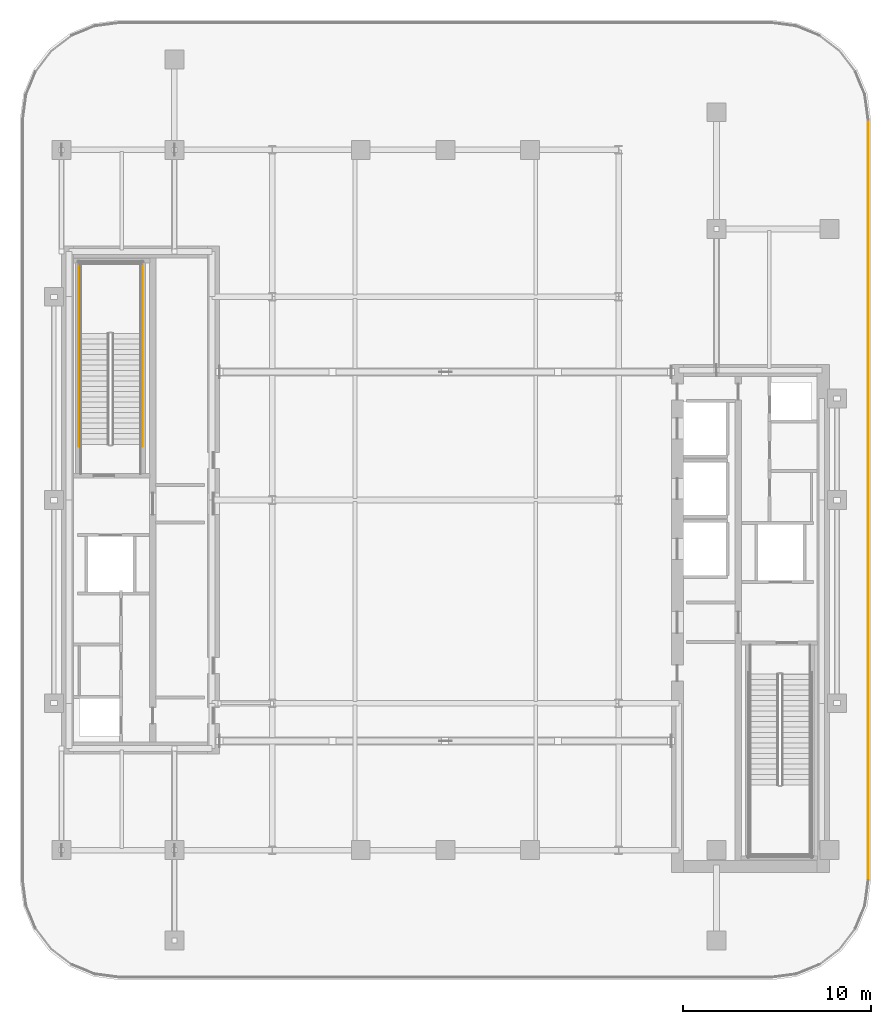
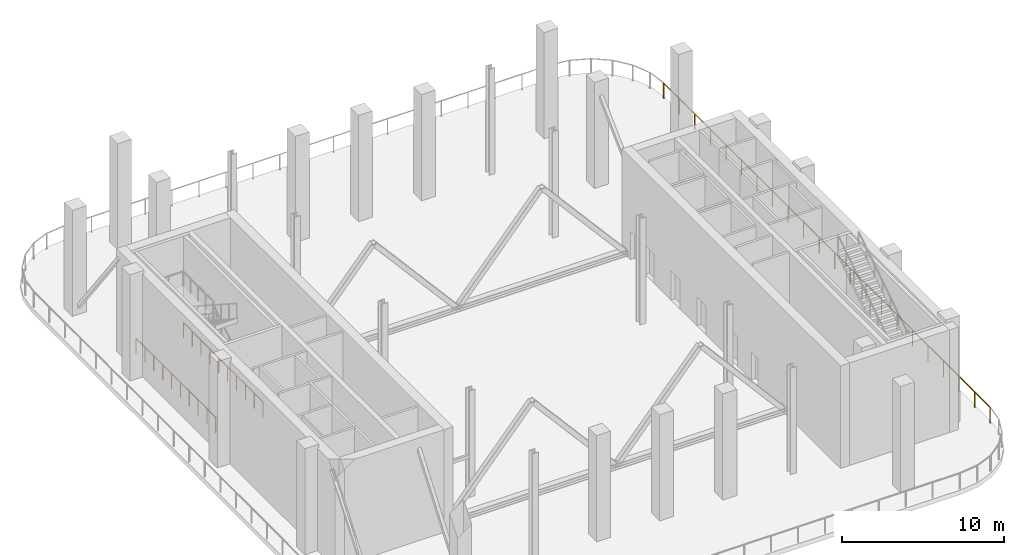
# One storey, part 10 of 12: 3 railings.
"""IFC4 building model written with IfcOpenShell, lengths in metres."""

from ifc_helpers import new_model, si_unit, direction, frame, origin, origin_2d, place, context, subcontext, project, spatial, circle, extrude, material, type_object, element, save


model = new_model("IFC4")

# Units and contexts
model_context = context("Model", 3, precision=1e-05, world=origin(), true_north=direction((0.0, 1.0)))
body_context = subcontext(model_context, "Body", "Model", "MODEL_VIEW")
ifc_project = project(units=[si_unit("LENGTHUNIT", "METRE"), si_unit("AREAUNIT", "SQUARE_METRE"), si_unit("VOLUMEUNIT", "CUBIC_METRE"), si_unit("PLANEANGLEUNIT", "RADIAN"), si_unit("MASSUNIT", "GRAM", prefix="KILO")], contexts=[model_context])

# Site, building, storey
site_placement = place(None, origin())
site = spatial("IfcSite", under=ifc_project, at=site_placement, CompositionType="ELEMENT")
building_placement = place(site_placement, origin())
building = spatial("IfcBuilding", under=site, at=building_placement, Name="Khairoan Windgate Tower", CompositionType="ELEMENT")
storey_placement = place(building_placement, frame((0.0, 0.0, 214.39990234375)))
storey = spatial("IfcBuildingStorey", under=building, at=storey_placement, Name="L50", CompositionType="ELEMENT", Elevation=214.39990234375)

# Railings
ifc_material_1 = material(Name="Anodised Bronze Aluminium 6063-T6", Category="aluminium")
railing_type_1 = type_object("IfcRailingType", Name="Aerodynamic Bronze-and-Glass Balustrade BAL-1200", PredefinedType="BALUSTRADE", material=ifc_material_1)
railing_placement = place(storey_placement, frame((22.4599609375, 20.165771484375, 0.0)))
element("IfcRailing", 1, at=railing_placement, inside=storey, type_object=railing_type_1, Name="L50 Wind-Slot Portal Perimeter Balustrade 22", PredefinedType="BALUSTRADE", context=body_context, shape_type="SweptSolid", body=[
    extrude(circle(Radius=0.02392578125, at=origin_2d()), frame((0.0, 0.0, 1.17578125), z_axis=(0.0, -1.0, 0.0), x_axis=(1.0, 0.0, 0.0)), (0.0, 0.0, 1.0), 40.33154296875),
    extrude(circle(Radius=0.02099609375, at=origin_2d()), origin(), (0.0, 0.0, 1.0), 1.15185546875),
    extrude(circle(Radius=0.02099609375, at=origin_2d()), frame((0.0, -1.920654296875, 0.0)), (0.0, 0.0, 1.0), 1.15185546875),
    extrude(circle(Radius=0.02099609375, at=origin_2d()), frame((0.0, -3.841064453125, 0.0)), (0.0, 0.0, 1.0), 1.15185546875),
    extrude(circle(Radius=0.02099609375, at=origin_2d()), frame((0.0, -5.76171875, 0.0)), (0.0, 0.0, 1.0), 1.15185546875),
    extrude(circle(Radius=0.02099609375, at=origin_2d()), frame((0.0, -7.68212890625, 0.0)), (0.0, 0.0, 1.0), 1.15185546875),
    extrude(circle(Radius=0.02099609375, at=origin_2d()), frame((0.0, -9.602783203125, 0.0)), (0.0, 0.0, 1.0), 1.15185546875),
    extrude(circle(Radius=0.02099609375, at=origin_2d()), frame((0.0, -11.523193359375, 0.0)), (0.0, 0.0, 1.0), 1.15185546875),
    extrude(circle(Radius=0.02099609375, at=origin_2d()), frame((0.0, -13.44384765625, 0.0)), (0.0, 0.0, 1.0), 1.15185546875),
    extrude(circle(Radius=0.02099609375, at=origin_2d()), frame((0.0, -15.364501953125, 0.0)), (0.0, 0.0, 1.0), 1.15185546875),
    extrude(circle(Radius=0.02099609375, at=origin_2d()), frame((0.0, -17.284912109375, 0.0)), (0.0, 0.0, 1.0), 1.15185546875),
    extrude(circle(Radius=0.02099609375, at=origin_2d()), frame((0.0, -19.20556640625, 0.0)), (0.0, 0.0, 1.0), 1.15185546875),
    extrude(circle(Radius=0.02099609375, at=origin_2d()), frame((0.0, -21.1259765625, 0.0)), (0.0, 0.0, 1.0), 1.15185546875),
    extrude(circle(Radius=0.02099609375, at=origin_2d()), frame((0.0, -23.046630859375, 0.0)), (0.0, 0.0, 1.0), 1.15185546875),
    extrude(circle(Radius=0.02099609375, at=origin_2d()), frame((0.0, -24.967041015625, 0.0)), (0.0, 0.0, 1.0), 1.15185546875),
    extrude(circle(Radius=0.02099609375, at=origin_2d()), frame((0.0, -26.8876953125, 0.0)), (0.0, 0.0, 1.0), 1.15185546875),
    extrude(circle(Radius=0.02099609375, at=origin_2d()), frame((0.0, -28.808349609375, 0.0)), (0.0, 0.0, 1.0), 1.15185546875),
    extrude(circle(Radius=0.02099609375, at=origin_2d()), frame((0.0, -30.728759765625, 0.0)), (0.0, 0.0, 1.0), 1.15185546875),
    extrude(circle(Radius=0.02099609375, at=origin_2d()), frame((0.0, -32.6494140625, 0.0)), (0.0, 0.0, 1.0), 1.15185546875),
    extrude(circle(Radius=0.02099609375, at=origin_2d()), frame((0.0, -34.56982421875, 0.0)), (0.0, 0.0, 1.0), 1.15185546875),
    extrude(circle(Radius=0.02099609375, at=origin_2d()), frame((0.0, -36.490478515625, 0.0)), (0.0, 0.0, 1.0), 1.15185546875),
    extrude(circle(Radius=0.02099609375, at=origin_2d()), frame((0.0, -38.410888671875, 0.0)), (0.0, 0.0, 1.0), 1.15185546875),
    extrude(circle(Radius=0.02099609375, at=origin_2d()), frame((0.0, -40.33154296875, 0.0)), (0.0, 0.0, 1.0), 1.15185546875),
])
ifc_material_2 = material(Name="Steel S355", Category="steel")
railing_type_2 = type_object("IfcRailingType", Name="Stairwell Safety Guardrail SGR-1150", PredefinedType="GUARDRAIL", material=ifc_material_2)
for number, where, name in (
    (2, (-16.10009765625, 2.860107421875, 0.0), "L50 ST2 stair guard 10"),
    (3, (-19.469970703125, 2.860107421875, 0.0), "L50 ST2 stair guard 11"),
):
    element("IfcRailing", number, at=place(storey_placement, frame(where)), inside=storey, type_object=railing_type_2, Name=name, PredefinedType="GUARDRAIL", context=body_context, shape_type="SweptSolid", body=[
        extrude(circle(Radius=0.02392578125, at=origin_2d()), frame((0.0, 0.0, 1.1259765625), z_axis=(0.0, 1.0, 0.0), x_axis=(-1.0, 0.0, 0.0)), (0.0, 0.0, 1.0), 9.83984375),
        extrude(circle(Radius=0.02099609375, at=origin_2d()), origin(), (0.0, 0.0, 1.0), 1.101806640625),
        extrude(circle(Radius=0.02099609375, at=origin_2d()), frame((0.0, 1.09326171875, 0.0)), (0.0, 0.0, 1.0), 1.101806640625),
        extrude(circle(Radius=0.02099609375, at=origin_2d()), frame((0.0, 2.1865234375, 0.0)), (0.0, 0.0, 1.0), 1.101806640625),
        extrude(circle(Radius=0.02099609375, at=origin_2d()), frame((0.0, 3.280029296875, 0.0)), (0.0, 0.0, 1.0), 1.101806640625),
        extrude(circle(Radius=0.02099609375, at=origin_2d()), frame((0.0, 4.373291015625, 0.0)), (0.0, 0.0, 1.0), 1.101806640625),
        extrude(circle(Radius=0.02099609375, at=origin_2d()), frame((0.0, 5.466552734375, 0.0)), (0.0, 0.0, 1.0), 1.101806640625),
        extrude(circle(Radius=0.02099609375, at=origin_2d()), frame((0.0, 6.559814453125, 0.0)), (0.0, 0.0, 1.0), 1.101806640625),
        extrude(circle(Radius=0.02099609375, at=origin_2d()), frame((0.0, 7.6533203125, 0.0)), (0.0, 0.0, 1.0), 1.101806640625),
        extrude(circle(Radius=0.02099609375, at=origin_2d()), frame((0.0, 8.74658203125, 0.0)), (0.0, 0.0, 1.0), 1.101806640625),
        extrude(circle(Radius=0.02099609375, at=origin_2d()), frame((0.0, 9.83984375, 0.0)), (0.0, 0.0, 1.0), 1.101806640625),
    ])

save(model, "model.ifc")
